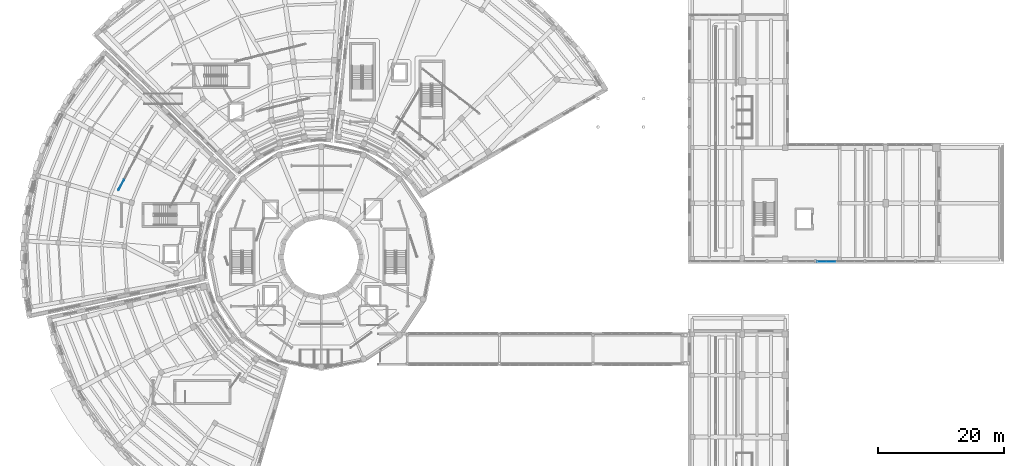
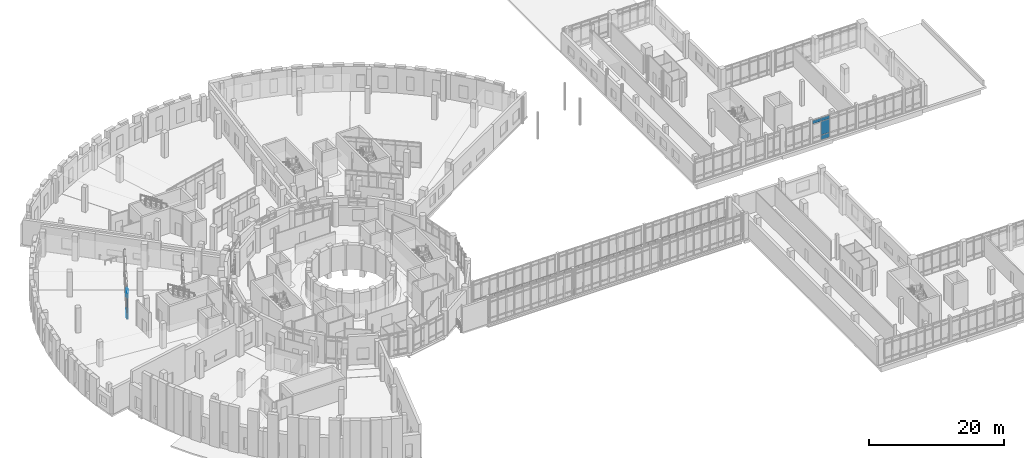
# One storey, part 52 of 89: 7 plates, 2 elements without a shape of their own.
"""IFC4 building model written with IfcOpenShell, lengths in metres."""

from ifc_helpers import new_model, si_unit, direction, frame, origin, origin_2d, place, context, subcontext, project, spatial, rectangle, extrude, material, layer, layer_set, type_object, element, aggregate, save


model = new_model("IFC4")

# Units and contexts
model_context = context("Model", 3, precision=1e-05, world=origin(), true_north=direction((0.0, 1.0)))
body_context = subcontext(model_context, "Body", "Model", "MODEL_VIEW")
ifc_project = project(units=[si_unit("LENGTHUNIT", "METRE"), si_unit("AREAUNIT", "SQUARE_METRE"), si_unit("VOLUMEUNIT", "CUBIC_METRE"), si_unit("PLANEANGLEUNIT", "RADIAN"), si_unit("MASSUNIT", "GRAM", prefix="KILO")], contexts=[model_context])

# Site, building, storey
site_placement = place(None, origin())
site = spatial("IfcSite", under=ifc_project, at=site_placement, CompositionType="ELEMENT")
building_placement = place(site_placement, origin())
building = spatial("IfcBuilding", under=site, at=building_placement, Name="Soyqirgoq Riverine Aquarium", CompositionType="ELEMENT")
storey_placement = place(building_placement, frame((0.0, 0.0, 5.39990234375)))
storey = spatial("IfcBuildingStorey", under=building, at=storey_placement, Name="L02", CompositionType="ELEMENT", Elevation=5.39990234375)

# Curtain wall, plates
ifc_material_1 = material(Name="Cast polymethyl methacrylate PMMA Habitat Viewing Glazing", Category="glass")
curtain_wall_type_1 = type_object("IfcCurtainWallType", Name="CW_Interior_TankVitrine", PredefinedType="NOTDEFINED", material=ifc_material_1)
curtain_wall_1_placement = place(storey_placement, origin())
curtain_wall_1 = element("IfcCurtainWall", 1, at=curtain_wall_1_placement, inside=storey, type_object=curtain_wall_type_1, Name="V3 L02 Curtain Wall 150", PredefinedType="NOTDEFINED")
ifc_material_2 = material(Name="Cast polymethyl methacrylate PMMA", Category="glass")
ifc_layer_1 = layer(ifc_material_2, 0.1201171875)
ifc_layer_set_1 = layer_set([ifc_layer_1], Name="Cast polymethyl methacrylate PMMA")
plate_type_1 = type_object("IfcPlateType", Name="CWAcrylicPanel_120", PredefinedType="CURTAIN_PANEL", material=ifc_layer_set_1)
plate_1_placement = place(storey_placement, frame((24.362060546875, 68.399658203125, 0.074951171875), z_axis=(0.0, 0.0, 1.0), x_axis=(-0.46947455655, -0.88294600104, 0.0)))
plate_1 = element("IfcPlate", 2, at=plate_1_placement, type_object=plate_type_1, Name="CW-07 panel 6.1", PredefinedType="CURTAIN_PANEL", context=body_context, shape_type="SweptSolid", body=[
    extrude(rectangle(XDim=1.80322265625, YDim=0.1201171875, at=origin_2d()), origin(), (0.0, 0.0, 1.0), 0.78759765625),
])
plate_2_placement = place(storey_placement, frame((24.362060546875, 68.399658203125, 0.9375), z_axis=(0.0, 0.0, 1.0), x_axis=(-0.46947455655, -0.88294600104, 0.0)))
plate_2 = element("IfcPlate", 3, at=plate_2_placement, type_object=plate_type_1, Name="CW-07 panel 6.2", PredefinedType="CURTAIN_PANEL", context=body_context, shape_type="SweptSolid", body=[
    extrude(rectangle(XDim=1.80322265625, YDim=0.1201171875, at=origin_2d()), origin(), (0.0, 0.0, 1.0), 2.844970703125),
])
plate_3_placement = place(storey_placement, frame((24.362060546875, 68.399658203125, 3.857666015625), z_axis=(0.0, 0.0, 1.0), x_axis=(-0.46947455655, -0.88294600104, 0.0)))
plate_3 = element("IfcPlate", 4, at=plate_3_placement, type_object=plate_type_1, Name="CW-07 panel 6.3", PredefinedType="CURTAIN_PANEL", context=body_context, shape_type="SweptSolid", body=[
    extrude(rectangle(XDim=1.80322265625, YDim=0.1201171875, at=origin_2d()), origin(), (0.0, 0.0, 1.0), 0.58740234375),
])
aggregate(curtain_wall_1, [plate_1, plate_2, plate_3])

ifc_material_3 = material(Name="Anodised aluminium thermally broken gallery curtain wall", Category="aluminium")
curtain_wall_type_2 = type_object("IfcCurtainWallType", Name="CW_Pavilion_Ribbon", PredefinedType="NOTDEFINED", material=ifc_material_3)
curtain_wall_2_placement = place(storey_placement, origin())
curtain_wall_2 = element("IfcCurtainWall", 5, at=curtain_wall_2_placement, inside=storey, type_object=curtain_wall_type_2, Name="V7 L02 Curtain Wall 127", PredefinedType="NOTDEFINED")
ifc_material_4 = material(Name="Triple insulated laminated low-E glass", Category="glass")
ifc_layer_2 = layer(ifc_material_4, 0.0458984375)
ifc_layer_set_2 = layer_set([ifc_layer_2], Name="Triple insulated laminated low-E glass")
plate_type_2 = type_object("IfcPlateType", Name="CWGlazedPanel_46", PredefinedType="CURTAIN_PANEL", material=ifc_layer_set_2)
plate_4_placement = place(storey_placement, frame((136.617919921875, 56.25, 0.074951171875), z_axis=(0.0, 0.0, 1.0), x_axis=(-1.0, 0.0, 0.0)))
plate_4 = element("IfcPlate", 6, at=plate_4_placement, type_object=plate_type_2, Name="CW-05 panel 4.1", PredefinedType="CURTAIN_PANEL", context=body_context, shape_type="SweptSolid", body=[
    extrude(rectangle(XDim=1.4169921875, YDim=0.0458984375, at=origin_2d()), origin(), (0.0, 0.0, 1.0), 0.78759765625),
])
plate_5_placement = place(storey_placement, frame((136.617919921875, 56.25, 0.9375), z_axis=(0.0, 0.0, 1.0), x_axis=(-1.0, 0.0, 0.0)))
plate_5 = element("IfcPlate", 7, at=plate_5_placement, type_object=plate_type_2, Name="CW-05 panel 4.2", PredefinedType="CURTAIN_PANEL", context=body_context, shape_type="SweptSolid", body=[
    extrude(rectangle(XDim=1.4169921875, YDim=0.0458984375, at=origin_2d()), origin(), (0.0, 0.0, 1.0), 2.425048828125),
])
plate_6_placement = place(storey_placement, frame((136.617919921875, 56.25, 3.437744140625), z_axis=(0.0, 0.0, 1.0), x_axis=(-1.0, 0.0, 0.0)))
plate_6 = element("IfcPlate", 8, at=plate_6_placement, type_object=plate_type_2, Name="CW-05 panel 4.3", PredefinedType="CURTAIN_PANEL", context=body_context, shape_type="SweptSolid", body=[
    extrude(rectangle(XDim=1.4169921875, YDim=0.0458984375, at=origin_2d()), origin(), (0.0, 0.0, 1.0), 0.58740234375),
])
plate_7_placement = place(storey_placement, frame((135.15234375, 56.25, 3.437744140625), z_axis=(0.0, 0.0, 1.0), x_axis=(-1.0, 0.0, 0.0)))
plate_7 = element("IfcPlate", 9, at=plate_7_placement, type_object=plate_type_2, Name="CW-05 panel 5.3", PredefinedType="CURTAIN_PANEL", context=body_context, shape_type="SweptSolid", body=[
    extrude(rectangle(XDim=1.384521484375, YDim=0.0458984375, at=origin_2d()), origin(), (0.0, 0.0, 1.0), 0.58740234375),
])
aggregate(curtain_wall_2, [plate_4, plate_5, plate_6, plate_7])

save(model, "model.ifc")
